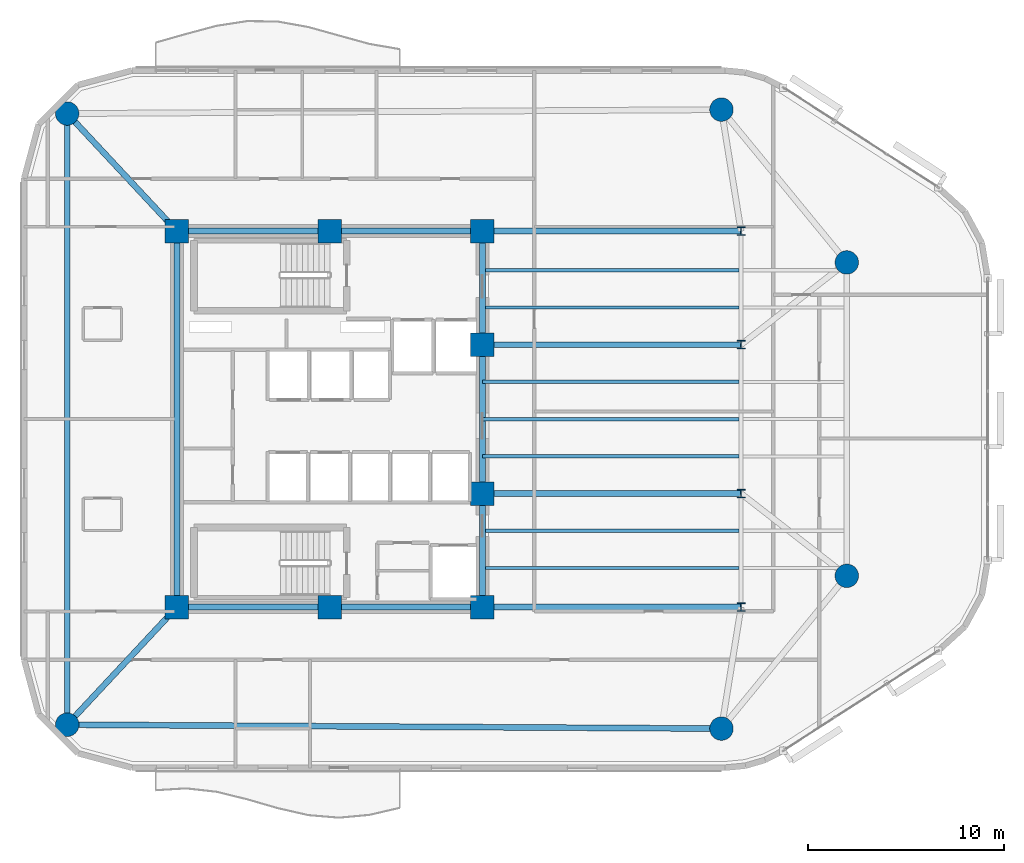
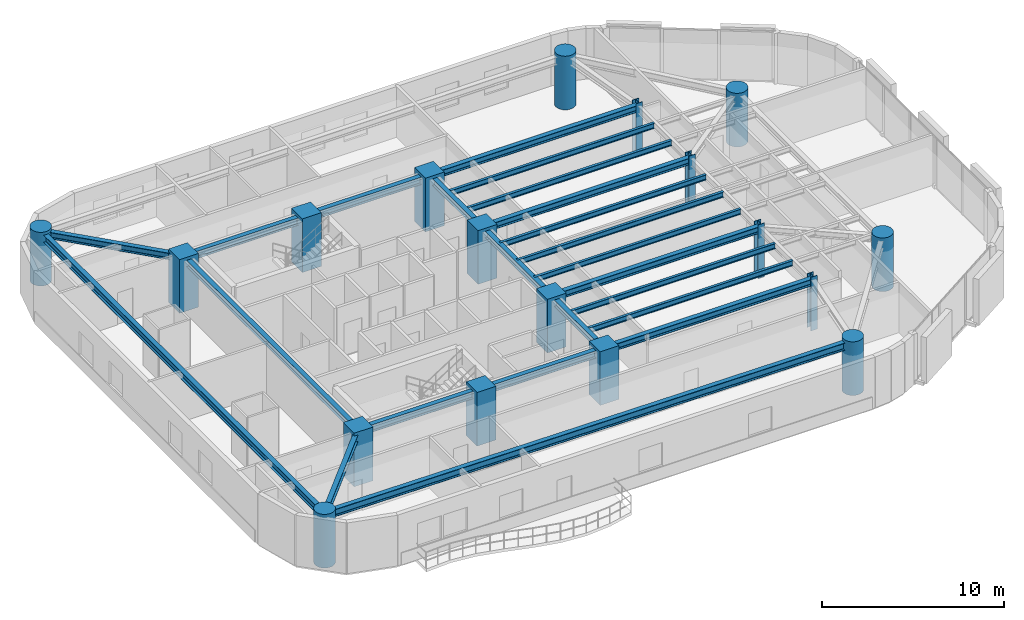
# One storey, part 1 of 15: 21 beams, 18 columns.
"""IFC4 building model written with IfcOpenShell, lengths in metres."""

from ifc_helpers import new_model, si_unit, direction, frame, origin, origin_2d, place, context, subcontext, project, spatial, rectangle, circle, i_section, extrude, material, material_profile, profile_set, type_object, element, save


model = new_model("IFC4")

# Units and contexts
model_context = context("Model", 3, precision=1e-05, world=origin(), true_north=direction((0.0, 1.0)))
body_context = subcontext(model_context, "Body", "Model", "MODEL_VIEW")
ifc_project = project(units=[si_unit("LENGTHUNIT", "METRE"), si_unit("AREAUNIT", "SQUARE_METRE"), si_unit("VOLUMEUNIT", "CUBIC_METRE"), si_unit("PLANEANGLEUNIT", "RADIAN"), si_unit("MASSUNIT", "GRAM", prefix="KILO")], contexts=[model_context])

# Site, building, storey
site_placement = place(None, origin())
site = spatial("IfcSite", under=ifc_project, at=site_placement, CompositionType="ELEMENT")
building_placement = place(site_placement, origin())
building = spatial("IfcBuilding", under=site, at=building_placement, Name="An Khanh Terracotta Commons", CompositionType="ELEMENT")
storey_placement = place(building_placement, frame((0.0, 0.0, 169.0)))
storey = spatial("IfcBuildingStorey", under=building, at=storey_placement, Name="L44", CompositionType="ELEMENT", Elevation=169.0)

# Columns
ifc_material_1 = material(Name="Concrete C60/75", Category="concrete")
ifc_material_profile_1 = material_profile(ifc_material_1, circle(Radius=0.60009765625, at=origin_2d()), Name="CFST1200")
ifc_profile_set_1 = profile_set([ifc_material_profile_1], Name="Concrete C60/75")
column_type_1 = type_object("IfcColumnType", Name="COL-CFST1200", PredefinedType="COLUMN", material=ifc_profile_set_1)
for number, where, z_axis, x_axis, name in (
    (1, (16.0, 8.39990234375, 0.0), (0.0, 0.0, 1.0), (1.0, 0.0, 0.0), "L44 Perimeter CFST Mega-Column MC-01"),
    (2, (49.39990234375, 8.199951171875, 0.0), (0.0, 0.0, 1.0), (1.0, 0.0, 0.0), "L44 Perimeter CFST Mega-Column MC-02"),
    (3, (55.800048828125, 16.0, 0.0), (0.0, 0.0, 1.0), (1.0, 0.0, 0.0), "L44 Perimeter CFST Mega-Column MC-03"),
    (4, (55.800048828125, 32.0, 0.0), (0.0, 0.0, 1.0), (1.0, 0.0, 0.0), "L44 Perimeter CFST Mega-Column MC-04"),
    (5, (49.39990234375, 39.800048828125, 0.0), (0.0, 0.0, 1.0), (1.0, 0.0, 0.0), "L44 Perimeter CFST Mega-Column MC-05"),
    (6, (16.0, 39.60009765625, 0.0), (0.0, 0.0, 1.0), (1.0, 0.0, 0.0), "L44 Perimeter CFST Mega-Column MC-06"),
):
    element("IfcColumn", number, at=place(storey_placement, frame(where, z_axis=z_axis, x_axis=x_axis)), inside=storey, type_object=column_type_1, Name=name, PredefinedType="COLUMN", context=body_context, shape_type="SweptSolid", body=[
        extrude(circle(Radius=0.60009765625, at=origin_2d()), origin(), (0.0, 0.0, 1.0), 3.60009765625),
    ])
ifc_material_2 = material(Name="Steel S460ML", Category="steel")
ifc_material_profile_2 = material_profile(ifc_material_2, i_section(OverallWidth=0.406005859375, OverallDepth=0.43994140625, WebThickness=0.02392578125, FlangeThickness=0.0390625, FilletRadius=0.014892578125, at=origin_2d()), Name="HD400x314")
ifc_profile_set_2 = profile_set([ifc_material_profile_2], Name="Steel S460ML")
column_type_2 = type_object("IfcColumnType", Name="COL-HD400x314", PredefinedType="COLUMN", material=ifc_profile_set_2)
for number, where, z_axis, x_axis, name in (
    (7, (50.39990234375, 14.39990234375, 0.0), (0.0, 0.0, 1.0), (1.0, 0.0, 0.0), "L44 Interior Frame Column TC-01"),
    (8, (50.39990234375, 20.199951171875, 0.0), (0.0, 0.0, 1.0), (1.0, 0.0, 0.0), "L44 Interior Frame Column TC-02"),
    (9, (50.39990234375, 27.800048828125, 0.0), (0.0, 0.0, 1.0), (1.0, 0.0, 0.0), "L44 Interior Frame Column TC-03"),
    (10, (50.39990234375, 33.60009765625, 0.0), (0.0, 0.0, 1.0), (1.0, 0.0, 0.0), "L44 Interior Frame Column TC-04"),
):
    element("IfcColumn", number, at=place(storey_placement, frame(where, z_axis=z_axis, x_axis=x_axis)), inside=storey, type_object=column_type_2, Name=name, PredefinedType="COLUMN", context=body_context, shape_type="SweptSolid", body=[
        extrude(i_section(OverallWidth=0.406005859375, OverallDepth=0.43994140625, WebThickness=0.02392578125, FlangeThickness=0.0390625, FilletRadius=0.014892578125, at=origin_2d()), origin(), (0.0, 0.0, 1.0), 3.60009765625),
    ])
ifc_material_profile_3 = material_profile(ifc_material_1, rectangle(XDim=1.199951171875, YDim=1.199951171875, at=origin_2d()), Name="RC1200x1200")
ifc_profile_set_3 = profile_set([ifc_material_profile_3], Name="Concrete C60/75")
column_type_3 = type_object("IfcColumnType", Name="COL-RC1200x1200", PredefinedType="COLUMN", material=ifc_profile_set_3)
for number, where, z_axis, x_axis, name in (
    (11, (21.60009765625, 14.39990234375, 0.0), (0.0, 0.0, 1.0), (1.0, 0.0, 0.0), "L44 Core Boundary Column CC-01"),
    (12, (29.39990234375, 14.39990234375, 0.0), (0.0, 0.0, 1.0), (1.0, 0.0, 0.0), "L44 Core Boundary Column CC-02"),
    (13, (37.199951171875, 14.39990234375, 0.0), (0.0, 0.0, 1.0), (1.0, 0.0, 0.0), "L44 Core Boundary Column CC-03"),
    (14, (37.199951171875, 20.199951171875, 0.0), (0.0, 0.0, 1.0), (1.0, 0.0, 0.0), "L44 Core Boundary Column CC-04"),
    (15, (37.199951171875, 27.800048828125, 0.0), (0.0, 0.0, 1.0), (1.0, 0.0, 0.0), "L44 Core Boundary Column CC-05"),
    (16, (37.199951171875, 33.60009765625, 0.0), (0.0, 0.0, 1.0), (1.0, 0.0, 0.0), "L44 Core Boundary Column CC-06"),
    (17, (29.39990234375, 33.60009765625, 0.0), (0.0, 0.0, 1.0), (1.0, 0.0, 0.0), "L44 Core Boundary Column CC-07"),
    (18, (21.60009765625, 33.60009765625, 0.0), (0.0, 0.0, 1.0), (1.0, 0.0, 0.0), "L44 Core Boundary Column CC-08"),
):
    element("IfcColumn", number, at=place(storey_placement, frame(where, z_axis=z_axis, x_axis=x_axis)), inside=storey, type_object=column_type_3, Name=name, PredefinedType="COLUMN", context=body_context, shape_type="SweptSolid", body=[
        extrude(rectangle(XDim=1.199951171875, YDim=1.199951171875, at=origin_2d()), origin(), (0.0, 0.0, 1.0), 3.60009765625),
    ])

# Beams
ifc_material_3 = material(Name="Steel S355J2", Category="steel")
ifc_material_profile_4 = material_profile(ifc_material_3, i_section(OverallWidth=0.300048828125, OverallDepth=0.449951171875, WebThickness=0.013916015625, FlangeThickness=0.02587890625, FilletRadius=0.027099609375, at=origin_2d()), Name="HEB450")
ifc_profile_set_4 = profile_set([ifc_material_profile_4], Name="Steel S355J2")
beam_type_1 = type_object("IfcBeamType", Name="BM-HEB450", PredefinedType="BEAM", material=ifc_profile_set_4)
beam_1_placement = place(storey_placement, frame((37.199951171875, 14.39990234375, 3.175048828125), z_axis=(0.0, 1.0, 0.0), x_axis=(-1.0, 0.0, 0.0)))
element("IfcBeam", 19, at=beam_1_placement, inside=storey, type_object=beam_type_1, Name="L44 Core East Coupling Girder 1", PredefinedType="BEAM", context=body_context, shape_type="SweptSolid", body=[
    extrude(i_section(OverallWidth=0.300048828125, OverallDepth=0.449951171875, WebThickness=0.013916015625, FlangeThickness=0.02587890625, FilletRadius=0.027099609375, at=origin_2d()), origin(), (0.0, 0.0, 1.0), 5.800048828125),
])
beam_2_placement = place(storey_placement, frame((37.199951171875, 20.199951171875, 3.175048828125), z_axis=(0.0, 1.0, 0.0), x_axis=(-1.0, 0.0, 0.0)))
element("IfcBeam", 20, at=beam_2_placement, inside=storey, type_object=beam_type_1, Name="L44 Core East Coupling Girder 2", PredefinedType="BEAM", context=body_context, shape_type="SweptSolid", body=[
    extrude(i_section(OverallWidth=0.300048828125, OverallDepth=0.449951171875, WebThickness=0.013916015625, FlangeThickness=0.02587890625, FilletRadius=0.027099609375, at=origin_2d()), origin(), (0.0, 0.0, 1.0), 7.60009765625),
])
beam_3_placement = place(storey_placement, frame((37.199951171875, 27.800048828125, 3.175048828125), z_axis=(0.0, 1.0, 0.0), x_axis=(-1.0, 0.0, 0.0)))
element("IfcBeam", 21, at=beam_3_placement, inside=storey, type_object=beam_type_1, Name="L44 Core East Coupling Girder 3", PredefinedType="BEAM", context=body_context, shape_type="SweptSolid", body=[
    extrude(i_section(OverallWidth=0.300048828125, OverallDepth=0.449951171875, WebThickness=0.013916015625, FlangeThickness=0.02587890625, FilletRadius=0.027099609375, at=origin_2d()), origin(), (0.0, 0.0, 1.0), 5.800048828125),
])
beam_4_placement = place(storey_placement, frame((21.60009765625, 14.39990234375, 3.175048828125), z_axis=(0.0, 1.0, 0.0), x_axis=(-1.0, 0.0, 0.0)))
element("IfcBeam", 22, at=beam_4_placement, inside=storey, type_object=beam_type_1, Name="L44 Core West Coupling Girder", PredefinedType="BEAM", context=body_context, shape_type="SweptSolid", body=[
    extrude(i_section(OverallWidth=0.300048828125, OverallDepth=0.449951171875, WebThickness=0.013916015625, FlangeThickness=0.02587890625, FilletRadius=0.027099609375, at=origin_2d()), origin(), (0.0, 0.0, 1.0), 19.2001953125),
])
for number, where, z_axis, x_axis, name in (
    (23, (37.199951171875, 14.39990234375, 3.175048828125), (1.0, 0.0, 0.0), (0.0, 1.0, 0.0), "L44 East Primary Floor Girder 1"),
    (24, (37.199951171875, 20.199951171875, 3.175048828125), (1.0, 0.0, 0.0), (0.0, 1.0, 0.0), "L44 East Primary Floor Girder 2"),
    (25, (37.199951171875, 27.800048828125, 3.175048828125), (1.0, 0.0, 0.0), (0.0, 1.0, 0.0), "L44 East Primary Floor Girder 3"),
    (26, (37.199951171875, 33.60009765625, 3.175048828125), (1.0, 0.0, 0.0), (0.0, 1.0, 0.0), "L44 East Primary Floor Girder 4"),
):
    element("IfcBeam", number, at=place(storey_placement, frame(where, z_axis=z_axis, x_axis=x_axis)), inside=storey, type_object=beam_type_1, Name=name, PredefinedType="BEAM", context=body_context, shape_type="SweptSolid", body=[
        extrude(i_section(OverallWidth=0.300048828125, OverallDepth=0.449951171875, WebThickness=0.013916015625, FlangeThickness=0.02587890625, FilletRadius=0.027099609375, at=origin_2d()), origin(), (0.0, 0.0, 1.0), 13.199951171875),
    ])
for number, where, z_axis, x_axis, name in (
    (27, (16.0, 8.39990234375, 3.175048828125), (0.682324609438, 0.731049333052, 0.0), (-0.731049333052, 0.682324609438, 0.0), "L44 Mega-Column Tie Girder 1"),
    (28, (16.0, 39.60009765625, 3.175048828125), (0.682324609438, -0.731049333052, 0.0), (0.731049333052, 0.682324609438, 0.0), "L44 Mega-Column Tie Girder 6"),
):
    element("IfcBeam", number, at=place(storey_placement, frame(where, z_axis=z_axis, x_axis=x_axis)), inside=storey, type_object=beam_type_1, Name=name, PredefinedType="BEAM", context=body_context, shape_type="SweptSolid", body=[
        extrude(i_section(OverallWidth=0.300048828125, OverallDepth=0.449951171875, WebThickness=0.013916015625, FlangeThickness=0.02587890625, FilletRadius=0.027099609375, at=origin_2d()), origin(), (0.0, 0.0, 1.0), 8.207275390625),
    ])
ifc_material_profile_5 = material_profile(ifc_material_3, i_section(OverallWidth=0.300048828125, OverallDepth=0.5, WebThickness=0.014404296875, FlangeThickness=0.028076171875, FilletRadius=0.027099609375, at=origin_2d()), Name="HEB500")
ifc_profile_set_5 = profile_set([ifc_material_profile_5], Name="Steel S355J2")
beam_type_2 = type_object("IfcBeamType", Name="BM-HEB500", PredefinedType="BEAM", material=ifc_profile_set_5)
for number, where, z_axis, x_axis, name in (
    (29, (21.60009765625, 14.39990234375, 3.14990234375), (1.0, 0.0, 0.0), (0.0, 1.0, 0.0), "L44 Core South Coupling Girder"),
    (30, (21.60009765625, 33.60009765625, 3.14990234375), (1.0, 0.0, 0.0), (0.0, 1.0, 0.0), "L44 Core North Coupling Girder"),
):
    element("IfcBeam", number, at=place(storey_placement, frame(where, z_axis=z_axis, x_axis=x_axis)), inside=storey, type_object=beam_type_2, Name=name, PredefinedType="BEAM", context=body_context, shape_type="SweptSolid", body=[
        extrude(i_section(OverallWidth=0.300048828125, OverallDepth=0.5, WebThickness=0.014404296875, FlangeThickness=0.028076171875, FilletRadius=0.027099609375, at=origin_2d()), origin(), (0.0, 0.0, 1.0), 15.599853515625),
    ])
beam_5_placement = place(storey_placement, frame((16.0, 8.39990234375, 3.14990234375), z_axis=(0.999982080914, -0.005986472262, 0.0), x_axis=(0.005986472262, 0.999982080914, 0.0)))
element("IfcBeam", 31, at=beam_5_placement, inside=storey, type_object=beam_type_2, Name="L44 Perimeter Ring Spandrel 1", PredefinedType="BEAM", context=body_context, shape_type="SweptSolid", body=[
    extrude(i_section(OverallWidth=0.300048828125, OverallDepth=0.5, WebThickness=0.014404296875, FlangeThickness=0.028076171875, FilletRadius=0.027099609375, at=origin_2d()), origin(), (0.0, 0.0, 1.0), 33.400390625),
])
beam_6_placement = place(storey_placement, frame((16.0, 39.60009765625, 3.14990234375), z_axis=(0.0, -1.0, 0.0), x_axis=(1.0, 0.0, 0.0)))
element("IfcBeam", 32, at=beam_6_placement, inside=storey, type_object=beam_type_2, Name="L44 Perimeter Ring Spandrel 6", PredefinedType="BEAM", context=body_context, shape_type="SweptSolid", body=[
    extrude(i_section(OverallWidth=0.300048828125, OverallDepth=0.5, WebThickness=0.014404296875, FlangeThickness=0.028076171875, FilletRadius=0.027099609375, at=origin_2d()), origin(), (0.0, 0.0, 1.0), 31.2001953125),
])
ifc_material_profile_6 = material_profile(ifc_material_3, i_section(OverallWidth=0.169921875, OverallDepth=0.360107421875, WebThickness=0.008056640625, FlangeThickness=0.0126953125, FilletRadius=0.01806640625, at=origin_2d()), Name="IPE360")
ifc_profile_set_6 = profile_set([ifc_material_profile_6], Name="Steel S355J2")
beam_type_3 = type_object("IfcBeamType", Name="BM-IPE360", PredefinedType="JOIST", material=ifc_profile_set_6)
for number, where, z_axis, x_axis, name in (
    (33, (37.199951171875, 16.39990234375, 3.219970703125), (1.0, 0.0, 0.0), (0.0, 1.0, 0.0), "L44 Inboard Composite Joist 1"),
    (34, (37.199951171875, 18.300048828125, 3.219970703125), (1.0, 0.0, 0.0), (0.0, 1.0, 0.0), "L44 Inboard Composite Joist 2"),
    (35, (37.199951171875, 22.10009765625, 3.219970703125), (1.0, 0.0, 0.0), (0.0, 1.0, 0.0), "L44 Inboard Composite Joist 3"),
    (36, (37.199951171875, 24.0, 3.219970703125), (1.0, 0.0, 0.0), (0.0, 1.0, 0.0), "L44 Inboard Composite Joist 4"),
    (37, (37.199951171875, 25.89990234375, 3.219970703125), (1.0, 0.0, 0.0), (0.0, 1.0, 0.0), "L44 Inboard Composite Joist 5"),
    (38, (37.199951171875, 29.699951171875, 3.219970703125), (1.0, 0.0, 0.0), (0.0, 1.0, 0.0), "L44 Inboard Composite Joist 6"),
    (39, (37.199951171875, 31.60009765625, 3.219970703125), (1.0, 0.0, 0.0), (0.0, 1.0, 0.0), "L44 Inboard Composite Joist 7"),
):
    element("IfcBeam", number, at=place(storey_placement, frame(where, z_axis=z_axis, x_axis=x_axis)), inside=storey, type_object=beam_type_3, Name=name, PredefinedType="JOIST", context=body_context, shape_type="SweptSolid", body=[
        extrude(i_section(OverallWidth=0.169921875, OverallDepth=0.360107421875, WebThickness=0.008056640625, FlangeThickness=0.0126953125, FilletRadius=0.01806640625, at=origin_2d()), origin(), (0.0, 0.0, 1.0), 13.10009765625),
    ])

save(model, "model.ifc")
